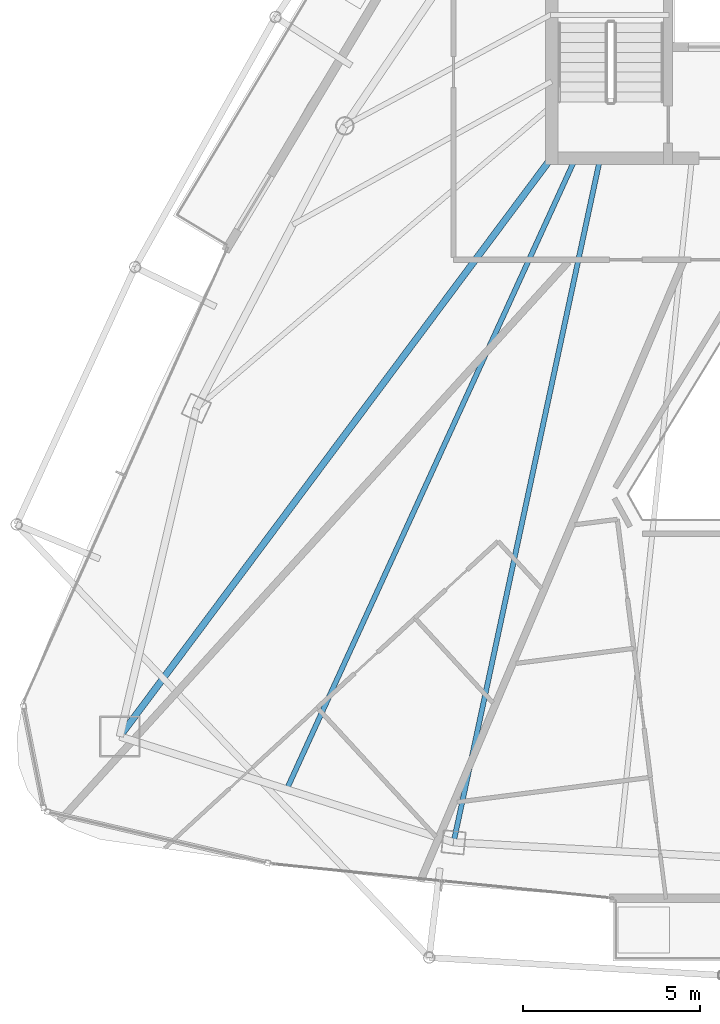
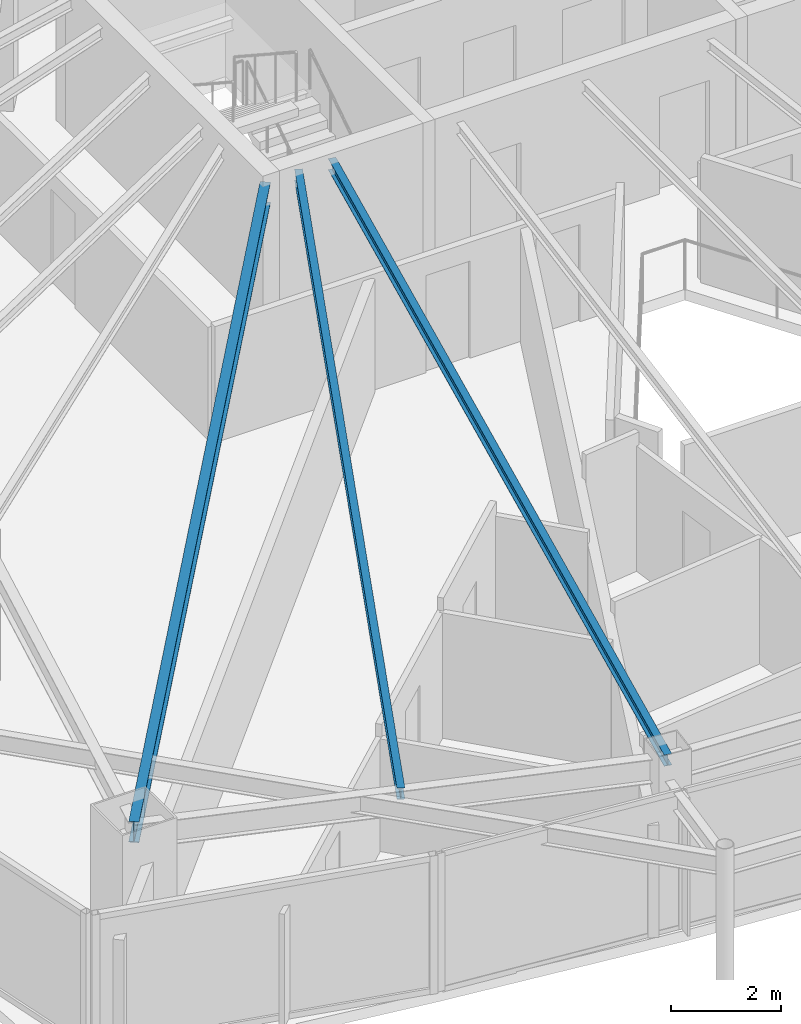
# One storey, part 6 of 30: 3 beams.
"""IFC4 building model written with IfcOpenShell, lengths in metres."""

from ifc_helpers import new_model, si_unit, direction, frame, origin, origin_2d, place, context, subcontext, project, spatial, i_section, extrude, material, material_profile, profile_set, type_object, element, save


model = new_model("IFC4")

# Units and contexts
model_context = context("Model", 3, precision=1e-05, world=origin(), true_north=direction((0.0, 1.0)))
body_context = subcontext(model_context, "Body", "Model", "MODEL_VIEW")
ifc_project = project(units=[si_unit("LENGTHUNIT", "METRE"), si_unit("AREAUNIT", "SQUARE_METRE"), si_unit("VOLUMEUNIT", "CUBIC_METRE"), si_unit("PLANEANGLEUNIT", "RADIAN"), si_unit("MASSUNIT", "GRAM", prefix="KILO")], contexts=[model_context])

# Site, building, storey
site_placement = place(None, origin())
site = spatial("IfcSite", under=ifc_project, at=site_placement, CompositionType="ELEMENT")
building_placement = place(site_placement, origin())
building = spatial("IfcBuilding", under=site, at=building_placement, Name="Orvanel Arch Residences", CompositionType="ELEMENT")
storey_placement = place(building_placement, frame((0.0, 0.0, 270.050048828125)))
storey = spatial("IfcBuildingStorey", under=building, at=storey_placement, Name="L77", CompositionType="ELEMENT", Elevation=270.050048828125)

# Beams
ifc_material = material(Name="Structural steel AS/NZS 3679.1 Grade 300 (300 MPa)", Category="steel")
ifc_material_profile_1 = material_profile(ifc_material, i_section(OverallWidth=0.19091796875, OverallDepth=0.4599609375, WebThickness=0.010009765625, FlangeThickness=0.01611328125, at=origin_2d()), Name="460UB82.1")
ifc_profile_set_1 = profile_set([ifc_material_profile_1], Name="Structural steel AS/NZS 3679.1 Grade 300 (300 MPa)")
beam_type_1 = type_object("IfcBeamType", Name="BG-460UB", PredefinedType="BEAM", material=ifc_profile_set_1)
beam_1_placement = place(storey_placement, frame((26.375, 26.675048828125, 2.829833984375), z_axis=(-0.597893733742, -0.801575375839, 0.0), x_axis=(0.801575375839, -0.597893733742, 0.0)))
element("IfcBeam", 1, at=beam_1_placement, inside=storey, type_object=beam_type_1, Name="L77 South-West Radial Girder", PredefinedType="BEAM", context=body_context, shape_type="SweptSolid", body=[
    extrude(i_section(OverallWidth=0.19091796875, OverallDepth=0.4599609375, WebThickness=0.010009765625, FlangeThickness=0.01611328125, at=origin_2d()), origin(), (0.0, 0.0, 1.0), 20.36474609375),
])
ifc_material_profile_2 = material_profile(ifc_material, i_section(OverallWidth=0.14599609375, OverallDepth=0.251953125, WebThickness=0.006103515625, FlangeThickness=0.008544921875, at=origin_2d()), Name="250UB31.4")
ifc_profile_set_2 = profile_set([ifc_material_profile_2], Name="Structural steel AS/NZS 3679.1 Grade 300 (300 MPa)")
beam_type_2 = type_object("IfcBeamType", Name="BJ-250UB", PredefinedType="JOIST", material=ifc_profile_set_2)
beam_2_placement = place(storey_placement, frame((27.800048828125, 26.72509765625, 2.933837890625), z_axis=(-0.209547604985, -0.977798446125, 0.0), x_axis=(0.977798446125, -0.209547604985, 0.0)))
element("IfcBeam", 2, at=beam_2_placement, inside=storey, type_object=beam_type_2, Name="L77 SW Wing Floor Joist", PredefinedType="JOIST", context=body_context, shape_type="SweptSolid", body=[
    extrude(i_section(OverallWidth=0.14599609375, OverallDepth=0.251953125, WebThickness=0.006103515625, FlangeThickness=0.008544921875, at=origin_2d()), origin(), (0.0, 0.0, 1.0), 19.809814453125),
])
beam_3_placement = place(storey_placement, frame((27.10009765625, 26.72509765625, 2.933837890625), z_axis=(-0.416009574066, -0.909360233508, 0.0), x_axis=(0.909360233508, -0.416009574066, 0.0)))
element("IfcBeam", 3, at=beam_3_placement, inside=storey, type_object=beam_type_2, Name="L77 JADD1 Wing Floor Joist", PredefinedType="JOIST", context=body_context, shape_type="SweptSolid", body=[
    extrude(i_section(OverallWidth=0.14599609375, OverallDepth=0.251953125, WebThickness=0.006103515625, FlangeThickness=0.008544921875, at=origin_2d()), origin(), (0.0, 0.0, 1.0), 19.653564453125),
])

save(model, "model.ifc")
